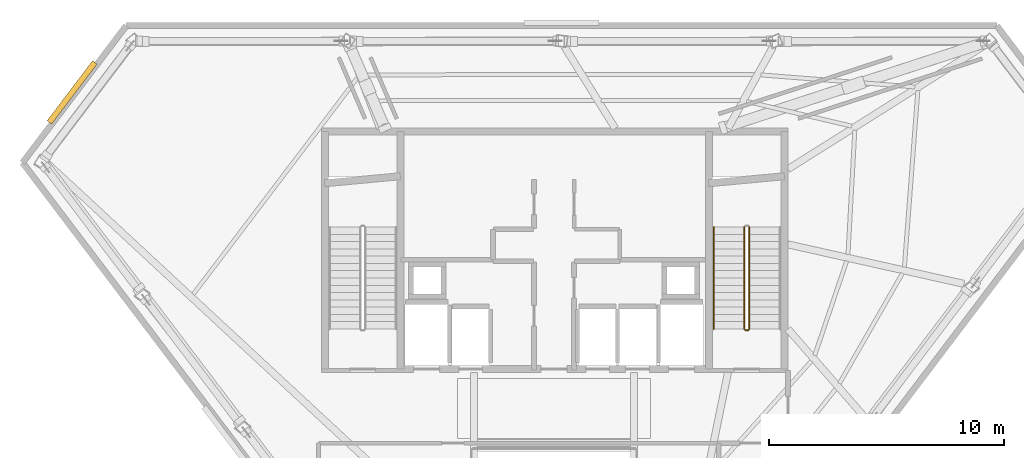
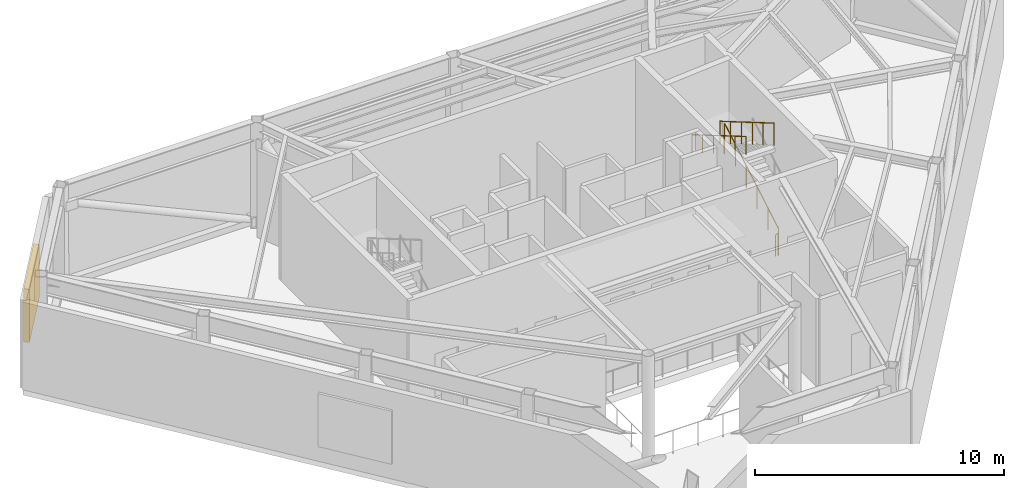
# One storey, part 8 of 9: 4 railings, 1 shading device.
"""IFC4 building model written with IfcOpenShell, lengths in metres."""

import ifcopenshell
import ifcopenshell.guid

model = None  # the IFC model being written
_history = None  # IfcOwnerHistory: only IFC2X3 demands one
_inside = {}  # id of a spatial element -> (the spatial element, [elements in it])
_under = {}  # id of a project, library or spatial element -> (it, [spatial elements below it])
_declared = {}  # id of a project -> (the project, [libraries it declares])
_typed = {}  # id of a type object -> (the type object, [elements of that type])
_made_of = {}  # id of a material, layer set ... -> (it, [elements and type objects made of it])


def new_model(schema):
    """Start an empty IFC model of exactly this schema.

    Asked for "IFC4X3", IfcOpenShell would pick the latest addendum, in which some entities
    have other attributes; the version numbers below select the first issue.
    IFC2X3 requires an IfcOwnerHistory on every rooted entity: one is made here for all.
    """
    global model, _history
    if schema == "IFC4X3":
        model = ifcopenshell.file(schema_version=(4, 3, 0, 0))
    else:
        model = ifcopenshell.file(schema=schema)
    _inside.clear()
    _under.clear()
    _declared.clear()
    _typed.clear()
    _made_of.clear()
    _history = None
    if model.schema == "IFC2X3":
        org = make("IfcOrganization", Name="unknown")
        user = make(
            "IfcPersonAndOrganization",
            ThePerson=make("IfcPerson", FamilyName="unknown"),
            TheOrganization=org,
        )
        app = make(
            "IfcApplication",
            ApplicationDeveloper=org,
            Version="unknown",
            ApplicationFullName="unknown",
            ApplicationIdentifier="unknown",
        )
        _history = make(
            "IfcOwnerHistory",
            OwningUser=user,
            OwningApplication=app,
            ChangeAction="ADDED",
            CreationDate=0,
        )
    return model


def make(cls, **values):
    """One entity of the class cls with the attributes given. An attribute that is None is left unset."""
    return model.create_entity(
        cls, **{name: value for name, value in values.items() if value is not None}
    )


def rooted(cls, **values):
    """An entity with a GlobalId (a new one), such as an element, a storey or a relation."""
    return make(cls, GlobalId=ifcopenshell.guid.new(), OwnerHistory=_history, **values)


def si_unit(unit_type, name, prefix=None):
    """IfcSIUnit, for example si_unit("LENGTHUNIT", "METRE", prefix="MILLI")."""
    return make("IfcSIUnit", UnitType=unit_type, Prefix=prefix, Name=name)


def assignment(units):
    """IfcUnitAssignment: the units of a project."""
    return None if units is None else make("IfcUnitAssignment", Units=units)


def point(xyz):
    """IfcCartesianPoint."""
    return None if xyz is None else make("IfcCartesianPoint", Coordinates=xyz)


def direction(xyz):
    """IfcDirection."""
    return None if xyz is None else make("IfcDirection", DirectionRatios=xyz)


def frame(location, z_axis=None, x_axis=None):
    """IfcAxis2Placement3D, a coordinate frame: its origin and axes. An axis left out is left unset."""
    return make(
        "IfcAxis2Placement3D",
        Location=point(location),
        Axis=direction(z_axis),
        RefDirection=direction(x_axis),
    )


def frame_2d(location, x_axis=None):
    """IfcAxis2Placement2D, a coordinate frame in the plane: its origin and x axis."""
    return make(
        "IfcAxis2Placement2D", Location=point(location), RefDirection=direction(x_axis)
    )


def origin():
    """The frame at (0, 0, 0) with its axes left unset."""
    return frame((0.0, 0.0, 0.0))


def origin_2d():
    """The frame at (0, 0) in the plane with its x axis left unset."""
    return frame_2d((0.0, 0.0))


def place(relative_to, where):
    """IfcLocalPlacement: puts the frame where relative to a parent placement (None: the world)."""
    return make(
        "IfcLocalPlacement", PlacementRelTo=relative_to, RelativePlacement=where
    )


def context(
    kind, dimensions, precision=None, world=None, true_north=None, identifier=None
):
    """IfcGeometricRepresentationContext, for example the 3D "Model" context."""
    return make(
        "IfcGeometricRepresentationContext",
        ContextIdentifier=identifier,
        ContextType=kind,
        CoordinateSpaceDimension=dimensions,
        Precision=precision,
        WorldCoordinateSystem=world,
        TrueNorth=true_north,
    )


def subcontext(parent, identifier, kind, view, scale=None):
    """IfcGeometricRepresentationSubContext, for example "Body" below "Model"."""
    return make(
        "IfcGeometricRepresentationSubContext",
        ContextIdentifier=identifier,
        ContextType=kind,
        ParentContext=parent,
        TargetScale=scale,
        TargetView=view,
    )


def project(units=None, contexts=None):
    """IfcProject with its units and contexts."""
    return rooted(
        "IfcProject",
        Name="project",
        RepresentationContexts=contexts,
        UnitsInContext=assignment(units),
    )


def spatial(cls, under=None, at=None, **own):
    """A site, building, storey or space (cls), placed at a placement, below another one or the project."""
    s = rooted(cls, ObjectPlacement=at, **own)
    if under is not None:
        _under.setdefault(under.id(), (under, []))[1].append(s)
    return s


def profile(cls, at=None, kind="AREA", **sizes):
    """A parametric profile (cls). Its sizes go by their IFC names, for example OverallWidth=200.0."""
    return make(cls, ProfileType=kind, Position=at, **sizes)


def rectangle(**sizes):
    """IfcRectangleProfileDef."""
    return profile("IfcRectangleProfileDef", **sizes)


def circle(**sizes):
    """IfcCircleProfileDef."""
    return profile("IfcCircleProfileDef", **sizes)


def extrude(swept, where, along, depth):
    """IfcExtrudedAreaSolid: the profile swept, set in the frame where, extruded along a direction by depth."""
    return make(
        "IfcExtrudedAreaSolid",
        SweptArea=swept,
        Position=where,
        ExtrudedDirection=direction(along),
        Depth=depth,
    )


def shape(context_of_items, identifier, shape_type, items):
    """IfcShapeRepresentation: the items that make up one representation, for example the "Body"."""
    return make(
        "IfcShapeRepresentation",
        ContextOfItems=context_of_items,
        RepresentationIdentifier=identifier,
        RepresentationType=shape_type,
        Items=items,
    )


def material(Name=None, Category=None):
    """IfcMaterial."""
    return make("IfcMaterial", Name=Name, Category=Category)


def made_of(thing, what):
    """Note that an element or type object is made of a material, layer set ...; save() writes the relation."""
    if what is not None:
        _made_of.setdefault(what.id(), (what, []))[1].append(thing)
    return thing


def type_object(cls, material=None, **own):
    """A type object (cls), such as IfcWallType, which elements share."""
    return made_of(rooted(cls, **own), material)


def element(
    cls,
    number,
    at=None,
    inside=None,
    cuts=None,
    type_object=None,
    material=None,
    context=None,
    identifier="Body",
    shape_type=None,
    held_by="IfcProductDefinitionShape",
    body=None,
    shapes=None,
    **own,
):
    """One element of the class cls, such as IfcWall. Its Tag is "e" and its number.

    at: its placement. inside: the storey or other place that contains it. cuts: it is an
    opening in that element (IfcRelVoidsElement). A single representation is given by context,
    identifier, shape_type and body (its items); several are given by shapes. held_by: the class
    of the entity that holds the representations. save() writes the other relations.
    """
    e = rooted(cls, Tag="e%d" % number, ObjectPlacement=at, **own)
    if body is not None:
        shapes = [shape(context, identifier, shape_type, body)]
    if shapes is not None:
        e.Representation = make(held_by, Representations=shapes)
    if inside is not None:
        _inside.setdefault(inside.id(), (inside, []))[1].append(e)
    if cuts is not None:
        rooted(
            "IfcRelVoidsElement", RelatingBuildingElement=cuts, RelatedOpeningElement=e
        )
    if type_object is not None:
        _typed.setdefault(type_object.id(), (type_object, []))[1].append(e)
    return made_of(e, material)


def aggregate(whole, parts):
    """IfcRelAggregates: a whole, such as a stair, and the parts it consists of."""
    return rooted("IfcRelAggregates", RelatingObject=whole, RelatedObjects=parts)


def save(model, path):
    """Write the relations noted so far, then the file.

    IfcRelAggregates (storeys below a building ...), IfcRelContainedInSpatialStructure (elements
    in a storey), IfcRelDefinesByType, IfcRelAssociatesMaterial and IfcRelDeclares: one each for
    every whole, place, type object, material and project.
    """
    for whole, parts in _under.values():
        aggregate(whole, parts)
    for where, things in _inside.values():
        rooted(
            "IfcRelContainedInSpatialStructure",
            RelatedElements=things,
            RelatingStructure=where,
        )
    for kind, things in _typed.values():
        rooted("IfcRelDefinesByType", RelatedObjects=things, RelatingType=kind)
    for what, things in _made_of.values():
        rooted("IfcRelAssociatesMaterial", RelatedObjects=things, RelatingMaterial=what)
    for by, libraries in _declared.values():
        rooted("IfcRelDeclares", RelatingContext=by, RelatedDefinitions=libraries)
    model.write(path)


model = new_model("IFC4")

# Units and contexts
model_context = context("Model", 3, precision=1e-05, world=origin(), true_north=direction((0.0, 1.0)))
body_context = subcontext(model_context, "Body", "Model", "MODEL_VIEW")
ifc_project = project(units=[si_unit("LENGTHUNIT", "METRE"), si_unit("AREAUNIT", "SQUARE_METRE"), si_unit("VOLUMEUNIT", "CUBIC_METRE"), si_unit("PLANEANGLEUNIT", "RADIAN"), si_unit("MASSUNIT", "GRAM", prefix="KILO")], contexts=[model_context])

# Site, building, storey
site_placement = place(None, origin())
site = spatial("IfcSite", under=ifc_project, at=site_placement, CompositionType="ELEMENT")
building_placement = place(site_placement, origin())
building = spatial("IfcBuilding", under=site, at=building_placement, Name="Zarrinselat Tower", CompositionType="ELEMENT")
storey_placement = place(building_placement, frame((0.0, 0.0, 252.9599609375)))
storey = spatial("IfcBuildingStorey", under=building, at=storey_placement, Name="L64", CompositionType="ELEMENT", Elevation=252.9599609375)

# Railings
ifc_material_1 = material(Name="Steel S355J2", Category="steel")
railing_type_1 = type_object("IfcRailingType", Name="RLG-STAIR-GUARD", PredefinedType="GUARDRAIL", material=ifc_material_1)
railing_1_placement = place(storey_placement, frame((46.7099609375, 35.0, 0.181396484375)))
element("IfcRailing", 1, at=railing_1_placement, inside=storey, type_object=railing_type_1, Name="L64 ST-2 stair guard 1", PredefinedType="GUARDRAIL", context=body_context, shape_type="SweptSolid", body=[
    extrude(circle(Radius=0.02392578125, at=origin_2d()), frame((0.0, 0.0, 1.076171875), z_axis=(0.0, 0.863184808233, 0.504888093379), x_axis=(-1.0, 0.0, 0.0)), (0.0, 0.0, 1.0), 5.028076171875),
    extrude(circle(Radius=0.02099609375, at=origin_2d()), origin(), (0.0, 0.0, 1.0), 1.050048828125),
    extrude(circle(Radius=0.02099609375, at=origin_2d()), frame((0.0, 0.867919921875, 0.5078125)), (0.0, 0.0, 1.0), 1.050048828125),
    extrude(circle(Radius=0.02099609375, at=origin_2d()), frame((0.0, 1.736083984375, 1.015380859375)), (0.0, 0.0, 1.0), 1.050048828125),
    extrude(circle(Radius=0.02099609375, at=origin_2d()), frame((0.0, 2.60400390625, 1.523193359375)), (0.0, 0.0, 1.0), 1.050048828125),
    extrude(circle(Radius=0.02099609375, at=origin_2d()), frame((0.0, 3.47216796875, 2.03076171875)), (0.0, 0.0, 1.0), 1.050048828125),
    extrude(circle(Radius=0.02099609375, at=origin_2d()), frame((0.0, 4.340087890625, 2.53857421875)), (0.0, 0.0, 1.0), 1.050048828125),
])
railing_2_placement = place(storey_placement, frame((46.489990234375, 39.340087890625, 2.9013671875)))
element("IfcRailing", 2, at=railing_2_placement, inside=storey, type_object=railing_type_1, Name="L64 ST-2 stair guard 3", PredefinedType="GUARDRAIL", context=body_context, shape_type="SweptSolid", body=[
    extrude(circle(Radius=0.02392578125, at=origin_2d()), frame((0.0, 0.0, 1.076171875), z_axis=(0.0, -0.863184808233, 0.504888093379), x_axis=(1.0, 0.0, 0.0)), (0.0, 0.0, 1.0), 5.028076171875),
    extrude(circle(Radius=0.02099609375, at=origin_2d()), origin(), (0.0, 0.0, 1.0), 1.050048828125),
    extrude(circle(Radius=0.02099609375, at=origin_2d()), frame((0.0, -0.867919921875, 0.5078125)), (0.0, 0.0, 1.0), 1.050048828125),
    extrude(circle(Radius=0.02099609375, at=origin_2d()), frame((0.0, -1.736083984375, 1.015380859375)), (0.0, 0.0, 1.0), 1.050048828125),
    extrude(circle(Radius=0.02099609375, at=origin_2d()), frame((0.0, -2.60400390625, 1.523193359375)), (0.0, 0.0, 1.0), 1.050048828125),
    extrude(circle(Radius=0.02099609375, at=origin_2d()), frame((0.0, -3.47216796875, 2.03076171875)), (0.0, 0.0, 1.0), 1.050048828125),
    extrude(circle(Radius=0.02099609375, at=origin_2d()), frame((0.0, -4.340087890625, 2.53857421875)), (0.0, 0.0, 1.0), 1.050048828125),
])
railing_3_placement = place(storey_placement, frame((46.659912109375, 34.949951171875, 0.0)))
element("IfcRailing", 3, at=railing_3_placement, inside=storey, type_object=railing_type_1, Name="L64 ST-2 stair guard 4", PredefinedType="GUARDRAIL", context=body_context, shape_type="SweptSolid", body=[
    extrude(circle(Radius=0.02392578125, at=origin_2d()), frame((0.0, 0.0, 1.076171875), z_axis=(-1.0, 0.0, 0.0), x_axis=(0.0, -1.0, 0.0)), (0.0, 0.0, 1.0), 0.119873046875),
    extrude(circle(Radius=0.02099609375, at=origin_2d()), origin(), (0.0, 0.0, 1.0), 1.050048828125),
    extrude(circle(Radius=0.02099609375, at=origin_2d()), frame((-0.119873046875, 0.0, 0.0)), (0.0, 0.0, 1.0), 1.050048828125),
])
ifc_material_2 = material(Name="Steel S355J2", Category="steel")
railing_type_2 = type_object("IfcRailingType", Name="RLG-STAIR-HAND", PredefinedType="HANDRAIL", material=ifc_material_2)
railing_4_placement = place(storey_placement, frame((45.18994140625, 39.340087890625, 2.9013671875)))
element("IfcRailing", 4, at=railing_4_placement, inside=storey, type_object=railing_type_2, Name="L64 ST-2 stair handrail 2", PredefinedType="HANDRAIL", context=body_context, shape_type="SweptSolid", body=[
    extrude(circle(Radius=0.02392578125, at=origin_2d()), frame((0.0, 0.0, 0.8759765625), z_axis=(0.0, -0.863184808233, 0.504888093379), x_axis=(1.0, 0.0, 0.0)), (0.0, 0.0, 1.0), 5.028076171875),
    extrude(circle(Radius=0.02099609375, at=origin_2d()), origin(), (0.0, 0.0, 1.0), 0.849853515625),
    extrude(circle(Radius=0.02099609375, at=origin_2d()), frame((0.0, -0.867919921875, 0.5078125)), (0.0, 0.0, 1.0), 0.849853515625),
    extrude(circle(Radius=0.02099609375, at=origin_2d()), frame((0.0, -1.736083984375, 1.015380859375)), (0.0, 0.0, 1.0), 0.849853515625),
    extrude(circle(Radius=0.02099609375, at=origin_2d()), frame((0.0, -2.60400390625, 1.523193359375)), (0.0, 0.0, 1.0), 0.849853515625),
    extrude(circle(Radius=0.02099609375, at=origin_2d()), frame((0.0, -3.47216796875, 2.03076171875)), (0.0, 0.0, 1.0), 0.849853515625),
    extrude(circle(Radius=0.02099609375, at=origin_2d()), frame((0.0, -4.340087890625, 2.53857421875)), (0.0, 0.0, 1.0), 0.849853515625),
])

# Shading device
ifc_material_3 = material(Name="Extruded Aluminium Alloy EN AW-6063 T6", Category="aluminium")
shading_device_type = type_object("IfcShadingDeviceType", Name="SHD-PLANT-LOUVRE", PredefinedType="JALOUSIE", material=ifc_material_3)
shading_device_placement = place(storey_placement, frame((17.89697265625, 45.065185546875, 0.800048828125), z_axis=(0.0, 0.0, 1.0), x_axis=(-0.603863219679, -0.797087957454, 0.0)))
element("IfcShadingDevice", 5, at=shading_device_placement, inside=storey, type_object=shading_device_type, Name="L64 Acoustic Plant Intake Louvre 2", PredefinedType="JALOUSIE", context=body_context, shape_type="SweptSolid", body=[
    extrude(rectangle(XDim=3.199951171875, YDim=0.239990234375, at=origin_2d()), origin(), (0.0, 0.0, 1.0), 2.60009765625),
])

save(model, "model.ifc")
